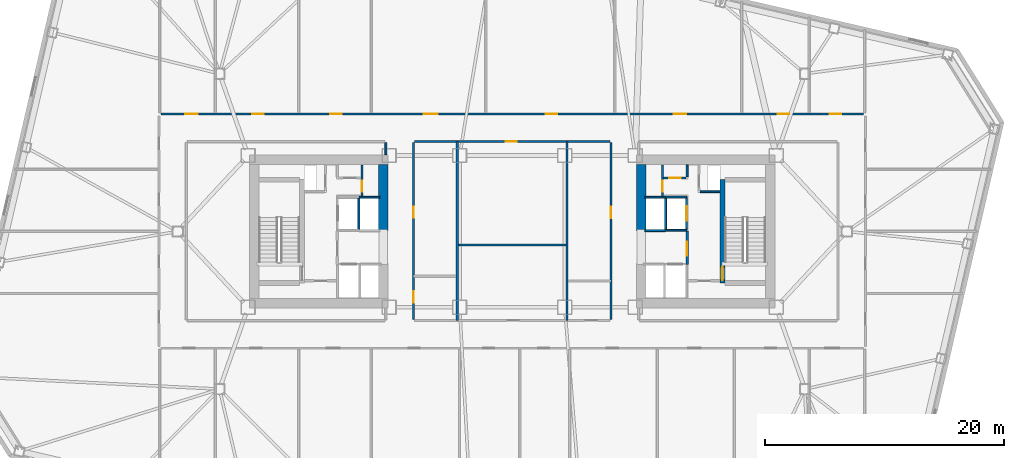
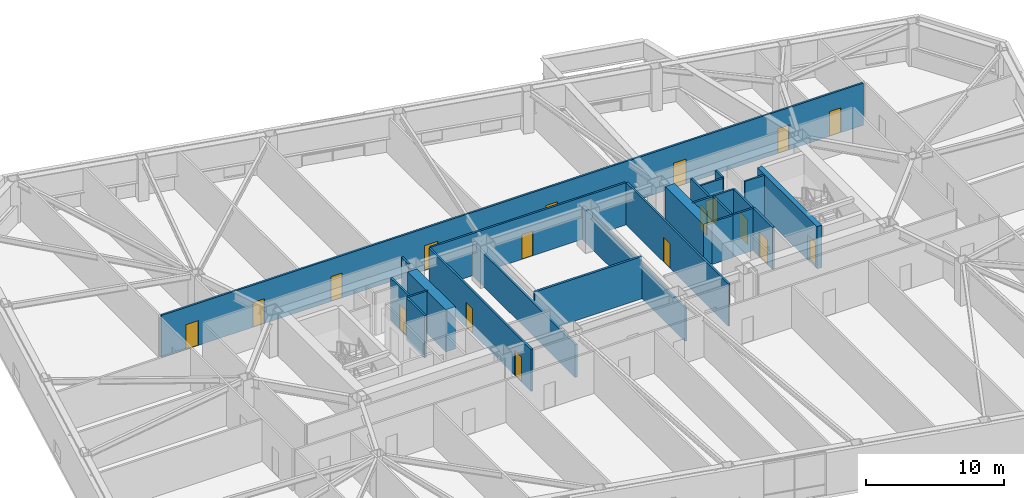
# One storey, part 12 of 21: 25 walls, 18 doors, 18 openings.
"""IFC4 building model written with IfcOpenShell, lengths in metres."""

import ifcopenshell
import ifcopenshell.guid

model = None  # the IFC model being written
_history = None  # IfcOwnerHistory: only IFC2X3 demands one
_inside = {}  # id of a spatial element -> (the spatial element, [elements in it])
_under = {}  # id of a project, library or spatial element -> (it, [spatial elements below it])
_declared = {}  # id of a project -> (the project, [libraries it declares])
_typed = {}  # id of a type object -> (the type object, [elements of that type])
_made_of = {}  # id of a material, layer set ... -> (it, [elements and type objects made of it])


def new_model(schema):
    """Start an empty IFC model of exactly this schema.

    Asked for "IFC4X3", IfcOpenShell would pick the latest addendum, in which some entities
    have other attributes; the version numbers below select the first issue.
    IFC2X3 requires an IfcOwnerHistory on every rooted entity: one is made here for all.
    """
    global model, _history
    if schema == "IFC4X3":
        model = ifcopenshell.file(schema_version=(4, 3, 0, 0))
    else:
        model = ifcopenshell.file(schema=schema)
    _inside.clear()
    _under.clear()
    _declared.clear()
    _typed.clear()
    _made_of.clear()
    _history = None
    if model.schema == "IFC2X3":
        org = make("IfcOrganization", Name="unknown")
        user = make(
            "IfcPersonAndOrganization",
            ThePerson=make("IfcPerson", FamilyName="unknown"),
            TheOrganization=org,
        )
        app = make(
            "IfcApplication",
            ApplicationDeveloper=org,
            Version="unknown",
            ApplicationFullName="unknown",
            ApplicationIdentifier="unknown",
        )
        _history = make(
            "IfcOwnerHistory",
            OwningUser=user,
            OwningApplication=app,
            ChangeAction="ADDED",
            CreationDate=0,
        )
    return model


def make(cls, **values):
    """One entity of the class cls with the attributes given. An attribute that is None is left unset."""
    return model.create_entity(
        cls, **{name: value for name, value in values.items() if value is not None}
    )


def rooted(cls, **values):
    """An entity with a GlobalId (a new one), such as an element, a storey or a relation."""
    return make(cls, GlobalId=ifcopenshell.guid.new(), OwnerHistory=_history, **values)


def si_unit(unit_type, name, prefix=None):
    """IfcSIUnit, for example si_unit("LENGTHUNIT", "METRE", prefix="MILLI")."""
    return make("IfcSIUnit", UnitType=unit_type, Prefix=prefix, Name=name)


def assignment(units):
    """IfcUnitAssignment: the units of a project."""
    return None if units is None else make("IfcUnitAssignment", Units=units)


def point(xyz):
    """IfcCartesianPoint."""
    return None if xyz is None else make("IfcCartesianPoint", Coordinates=xyz)


def direction(xyz):
    """IfcDirection."""
    return None if xyz is None else make("IfcDirection", DirectionRatios=xyz)


def frame(location, z_axis=None, x_axis=None):
    """IfcAxis2Placement3D, a coordinate frame: its origin and axes. An axis left out is left unset."""
    return make(
        "IfcAxis2Placement3D",
        Location=point(location),
        Axis=direction(z_axis),
        RefDirection=direction(x_axis),
    )


def frame_2d(location, x_axis=None):
    """IfcAxis2Placement2D, a coordinate frame in the plane: its origin and x axis."""
    return make(
        "IfcAxis2Placement2D", Location=point(location), RefDirection=direction(x_axis)
    )


def origin():
    """The frame at (0, 0, 0) with its axes left unset."""
    return frame((0.0, 0.0, 0.0))


def place(relative_to, where):
    """IfcLocalPlacement: puts the frame where relative to a parent placement (None: the world)."""
    return make(
        "IfcLocalPlacement", PlacementRelTo=relative_to, RelativePlacement=where
    )


def context(
    kind, dimensions, precision=None, world=None, true_north=None, identifier=None
):
    """IfcGeometricRepresentationContext, for example the 3D "Model" context."""
    return make(
        "IfcGeometricRepresentationContext",
        ContextIdentifier=identifier,
        ContextType=kind,
        CoordinateSpaceDimension=dimensions,
        Precision=precision,
        WorldCoordinateSystem=world,
        TrueNorth=true_north,
    )


def subcontext(parent, identifier, kind, view, scale=None):
    """IfcGeometricRepresentationSubContext, for example "Body" below "Model"."""
    return make(
        "IfcGeometricRepresentationSubContext",
        ContextIdentifier=identifier,
        ContextType=kind,
        ParentContext=parent,
        TargetScale=scale,
        TargetView=view,
    )


def project(units=None, contexts=None):
    """IfcProject with its units and contexts."""
    return rooted(
        "IfcProject",
        Name="project",
        RepresentationContexts=contexts,
        UnitsInContext=assignment(units),
    )


def spatial(cls, under=None, at=None, **own):
    """A site, building, storey or space (cls), placed at a placement, below another one or the project."""
    s = rooted(cls, ObjectPlacement=at, **own)
    if under is not None:
        _under.setdefault(under.id(), (under, []))[1].append(s)
    return s


def profile(cls, at=None, kind="AREA", **sizes):
    """A parametric profile (cls). Its sizes go by their IFC names, for example OverallWidth=200.0."""
    return make(cls, ProfileType=kind, Position=at, **sizes)


def rectangle(**sizes):
    """IfcRectangleProfileDef."""
    return profile("IfcRectangleProfileDef", **sizes)


def extrude(swept, where, along, depth):
    """IfcExtrudedAreaSolid: the profile swept, set in the frame where, extruded along a direction by depth."""
    return make(
        "IfcExtrudedAreaSolid",
        SweptArea=swept,
        Position=where,
        ExtrudedDirection=direction(along),
        Depth=depth,
    )


def shape(context_of_items, identifier, shape_type, items):
    """IfcShapeRepresentation: the items that make up one representation, for example the "Body"."""
    return make(
        "IfcShapeRepresentation",
        ContextOfItems=context_of_items,
        RepresentationIdentifier=identifier,
        RepresentationType=shape_type,
        Items=items,
    )


def material(Name=None, Category=None):
    """IfcMaterial."""
    return make("IfcMaterial", Name=Name, Category=Category)


def layer(
    of_material, thickness, ventilated=None, Name=None, Category=None, Priority=None
):
    """IfcMaterialLayer: one layer of a wall or slab, of a material (None: an air gap)."""
    return make(
        "IfcMaterialLayer",
        Material=of_material,
        LayerThickness=thickness,
        IsVentilated=ventilated,
        Name=Name,
        Category=Category,
        Priority=Priority,
    )


def layer_set(layers, Name=None):
    """IfcMaterialLayerSet."""
    return make("IfcMaterialLayerSet", MaterialLayers=layers, LayerSetName=Name)


def made_of(thing, what):
    """Note that an element or type object is made of a material, layer set ...; save() writes the relation."""
    if what is not None:
        _made_of.setdefault(what.id(), (what, []))[1].append(thing)
    return thing


def type_object(cls, material=None, **own):
    """A type object (cls), such as IfcWallType, which elements share."""
    return made_of(rooted(cls, **own), material)


def element(
    cls,
    number,
    at=None,
    inside=None,
    cuts=None,
    type_object=None,
    material=None,
    context=None,
    identifier="Body",
    shape_type=None,
    held_by="IfcProductDefinitionShape",
    body=None,
    shapes=None,
    **own,
):
    """One element of the class cls, such as IfcWall. Its Tag is "e" and its number.

    at: its placement. inside: the storey or other place that contains it. cuts: it is an
    opening in that element (IfcRelVoidsElement). A single representation is given by context,
    identifier, shape_type and body (its items); several are given by shapes. held_by: the class
    of the entity that holds the representations. save() writes the other relations.
    """
    e = rooted(cls, Tag="e%d" % number, ObjectPlacement=at, **own)
    if body is not None:
        shapes = [shape(context, identifier, shape_type, body)]
    if shapes is not None:
        e.Representation = make(held_by, Representations=shapes)
    if inside is not None:
        _inside.setdefault(inside.id(), (inside, []))[1].append(e)
    if cuts is not None:
        rooted(
            "IfcRelVoidsElement", RelatingBuildingElement=cuts, RelatedOpeningElement=e
        )
    if type_object is not None:
        _typed.setdefault(type_object.id(), (type_object, []))[1].append(e)
    return made_of(e, material)


def fill(opening, filler):
    """IfcRelFillsElement: the door or window that sits in an opening."""
    return rooted(
        "IfcRelFillsElement",
        RelatingOpeningElement=opening,
        RelatedBuildingElement=filler,
    )


def aggregate(whole, parts):
    """IfcRelAggregates: a whole, such as a stair, and the parts it consists of."""
    return rooted("IfcRelAggregates", RelatingObject=whole, RelatedObjects=parts)


def save(model, path):
    """Write the relations noted so far, then the file.

    IfcRelAggregates (storeys below a building ...), IfcRelContainedInSpatialStructure (elements
    in a storey), IfcRelDefinesByType, IfcRelAssociatesMaterial and IfcRelDeclares: one each for
    every whole, place, type object, material and project.
    """
    for whole, parts in _under.values():
        aggregate(whole, parts)
    for where, things in _inside.values():
        rooted(
            "IfcRelContainedInSpatialStructure",
            RelatedElements=things,
            RelatingStructure=where,
        )
    for kind, things in _typed.values():
        rooted("IfcRelDefinesByType", RelatedObjects=things, RelatingType=kind)
    for what, things in _made_of.values():
        rooted("IfcRelAssociatesMaterial", RelatedObjects=things, RelatingMaterial=what)
    for by, libraries in _declared.values():
        rooted("IfcRelDeclares", RelatingContext=by, RelatedDefinitions=libraries)
    model.write(path)


model = new_model("IFC4")

# Units and contexts
model_context = context("Model", 3, precision=1e-05, world=origin(), true_north=direction((0.0, 1.0)))
body_context = subcontext(model_context, "Body", "Model", "MODEL_VIEW")
ifc_project = project(units=[si_unit("LENGTHUNIT", "METRE"), si_unit("AREAUNIT", "SQUARE_METRE"), si_unit("VOLUMEUNIT", "CUBIC_METRE"), si_unit("PLANEANGLEUNIT", "RADIAN"), si_unit("MASSUNIT", "GRAM", prefix="KILO")], contexts=[model_context])

# Site, building, storey
site_placement = place(None, origin())
site = spatial("IfcSite", under=ifc_project, at=site_placement, CompositionType="ELEMENT")
building_placement = place(site_placement, origin())
building = spatial("IfcBuilding", under=site, at=building_placement, Name="Tavrogorsk Clinical Tower", CompositionType="ELEMENT")
storey_placement = place(building_placement, frame((0.0, 0.0, 59.39990234375)))
storey = spatial("IfcBuildingStorey", under=building, at=storey_placement, Name="L12", CompositionType="ELEMENT", Elevation=59.39990234375)

# Wall, opening, door
ifc_material_1 = material(Name="Concrete B60", Category="concrete")
ifc_layer_1 = layer(ifc_material_1, 0.199951171875)
ifc_layer_set_1 = layer_set([ifc_layer_1], Name="Concrete B60")
wall_type_1 = type_object("IfcWallType", Name="CoreFireWall_200", PredefinedType="SOLIDWALL", material=ifc_layer_set_1)
wall_1_placement = place(storey_placement, frame((14.639892578125, -2.780029296875, 0.0), z_axis=(0.0, 0.0, 1.0), x_axis=(0.0, 1.0, 0.0)))
wall_1 = element("IfcWall", 1, at=wall_1_placement, inside=storey, type_object=wall_type_1, Name="L12 Core East Firefighting Lobby Fire Wall", PredefinedType="SOLIDWALL", context=body_context, shape_type="SweptSolid", body=[
    extrude(rectangle(XDim=2.820068359375, YDim=0.199951171875, at=frame_2d((1.41015625, 0.0))), origin(), (0.0, 0.0, 1.0), 3.739990234375),
])
opening_1_placement = place(wall_1_placement, frame((0.72998046875, 0.0, 0.0)))
opening_1 = element("IfcOpeningElement", 2, at=opening_1_placement, cuts=wall_1, Name="Opening FD-01", PredefinedType="OPENING", context=body_context, shape_type="SweptSolid", body=[
    extrude(rectangle(XDim=1.199951171875, YDim=2.199951171875, at=frame_2d((0.60009765625, 1.10009765625))), frame((0.0, 0.10986328125, 0.0), z_axis=(0.0, -1.0, 0.0), x_axis=(1.0, 0.0, 0.0)), (0.0, 0.0, 1.0), 0.219970703125),
])
ifc_material_2 = material(Name="Galvanised steel fire-rated door assembly", Category="steel")
door_type_1 = type_object("IfcDoorType", Name="FireDoor_FD01_1200", OperationType="NOTDEFINED", PredefinedType="DOOR", material=ifc_material_2)
door_1_placement = place(opening_1_placement, origin())
door_1 = element("IfcDoor", 3, at=door_1_placement, inside=storey, type_object=door_type_1, Name="L12 Core East Firefighting Lobby Entry Door", OperationType="SINGLE_SWING_RIGHT", OverallHeight=2.199951171875, OverallWidth=1.199951171875, PredefinedType="DOOR", context=body_context, shape_type="SweptSolid", body=[
    extrude(rectangle(XDim=1.199951171875, YDim=2.199951171875, at=frame_2d((0.60009765625, 1.10009765625))), frame((0.0, 0.02490234375, 0.0), z_axis=(0.0, -1.0, 0.0), x_axis=(1.0, 0.0, 0.0)), (0.0, 0.0, 1.0), 0.050048828125),
])
fill(opening_1, door_1)

ifc_material_3 = material(Name="Lightweight concrete blockwork B15", Category="masonry")
ifc_layer_2 = layer(ifc_material_3, 0.159912109375)
ifc_layer_set_2 = layer_set([ifc_layer_2], Name="Lightweight concrete blockwork B15")
wall_type_2 = type_object("IfcWallType", Name="PartitionWall_160", PredefinedType="PARTITIONING", material=ifc_layer_set_2)
wall_2_placement = place(storey_placement, frame((-12.580078125, 2.9599609375, 0.0), z_axis=(0.0, 0.0, 1.0), x_axis=(0.0, 1.0, 0.0)))
wall_2 = element("IfcWall", 4, at=wall_2_placement, inside=storey, type_object=wall_type_2, Name="L12 Core West Linen Closet Wall", PredefinedType="PARTITIONING", context=body_context, shape_type="SweptSolid", body=[
    extrude(rectangle(XDim=2.60009765625, YDim=0.159912109375, at=frame_2d((1.300048828125, 0.0))), origin(), (0.0, 0.0, 1.0), 3.739990234375),
])
opening_2_placement = place(wall_2_placement, frame((0.35009765625, 0.0, 0.0)))
opening_2 = element("IfcOpeningElement", 5, at=opening_2_placement, cuts=wall_2, Name="Opening ID-02", PredefinedType="OPENING", context=body_context, shape_type="SweptSolid", body=[
    extrude(rectangle(XDim=0.949951171875, YDim=2.199951171875, at=frame_2d((0.47509765625, 1.10009765625))), frame((0.0, 0.08984375, 0.0), z_axis=(0.0, -1.0, 0.0), x_axis=(1.0, 0.0, 0.0)), (0.0, 0.0, 1.0), 0.179931640625),
])
ifc_material_4 = material(Name="Laminated timber leaf on aluminium frame", Category="wood")
door_type_2 = type_object("IfcDoorType", Name="InteriorDoor_ID02_950", OperationType="NOTDEFINED", PredefinedType="DOOR", material=ifc_material_4)
door_2_placement = place(opening_2_placement, origin())
door_2 = element("IfcDoor", 6, at=door_2_placement, inside=storey, type_object=door_type_2, Name="L12 Core West Linen Closet Door", OperationType="SINGLE_SWING_LEFT", OverallHeight=2.199951171875, OverallWidth=0.949951171875, PredefinedType="DOOR", context=body_context, shape_type="SweptSolid", body=[
    extrude(rectangle(XDim=0.949951171875, YDim=2.199951171875, at=frame_2d((0.47509765625, 1.10009765625))), frame((0.0, 0.02490234375, 0.0), z_axis=(0.0, -1.0, 0.0), x_axis=(1.0, 0.0, 0.0)), (0.0, 0.0, 1.0), 0.050048828125),
])
fill(opening_2, door_2)

wall_3_placement = place(storey_placement, frame((12.580078125, 2.9599609375, 0.0), z_axis=(0.0, 0.0, 1.0), x_axis=(0.0, 1.0, 0.0)))
wall_3 = element("IfcWall", 7, at=wall_3_placement, inside=storey, type_object=wall_type_2, Name="L12 Core East Linen Closet Wall", PredefinedType="PARTITIONING", context=body_context, shape_type="SweptSolid", body=[
    extrude(rectangle(XDim=2.60009765625, YDim=0.159912109375, at=frame_2d((1.300048828125, 0.0))), origin(), (0.0, 0.0, 1.0), 3.739990234375),
])
opening_3_placement = place(wall_3_placement, frame((0.35009765625, 0.0, 0.0)))
opening_3 = element("IfcOpeningElement", 8, at=opening_3_placement, cuts=wall_3, Name="Opening ID-02", PredefinedType="OPENING", context=body_context, shape_type="SweptSolid", body=[
    extrude(rectangle(XDim=0.949951171875, YDim=2.199951171875, at=frame_2d((0.47509765625, 1.10009765625))), frame((0.0, 0.08984375, 0.0), z_axis=(0.0, -1.0, 0.0), x_axis=(1.0, 0.0, 0.0)), (0.0, 0.0, 1.0), 0.179931640625),
])
door_3_placement = place(opening_3_placement, origin())
door_3 = element("IfcDoor", 9, at=door_3_placement, inside=storey, type_object=door_type_2, Name="L12 Core East Linen Closet Door", OperationType="SINGLE_SWING_RIGHT", OverallHeight=2.199951171875, OverallWidth=0.949951171875, PredefinedType="DOOR", context=body_context, shape_type="SweptSolid", body=[
    extrude(rectangle(XDim=0.949951171875, YDim=2.199951171875, at=frame_2d((0.47509765625, 1.10009765625))), frame((0.0, 0.02490234375, 0.0), z_axis=(0.0, -1.0, 0.0), x_axis=(1.0, 0.0, 0.0)), (0.0, 0.0, 1.0), 0.050048828125),
])
fill(opening_3, door_3)

wall_4_placement = place(storey_placement, frame((12.6650390625, 4.47998046875, 0.0), z_axis=(0.0, 0.0, 1.0), x_axis=(1.0, 0.0, 0.0)))
wall_4 = element("IfcWall", 10, at=wall_4_placement, inside=storey, type_object=wall_type_2, Name="L12 Core East Housekeeping South Wall", PredefinedType="PARTITIONING", context=body_context, shape_type="SweptSolid", body=[
    extrude(rectangle(XDim=1.889892578125, YDim=0.159912109375, at=frame_2d((0.94482421875, 0.0))), origin(), (0.0, 0.0, 1.0), 3.739990234375),
])
opening_4_placement = place(wall_4_placement, frame((0.5, 0.0, 0.0)))
opening_4 = element("IfcOpeningElement", 11, at=opening_4_placement, cuts=wall_4, Name="Opening ID-02", PredefinedType="OPENING", context=body_context, shape_type="SweptSolid", body=[
    extrude(rectangle(XDim=0.949951171875, YDim=2.199951171875, at=frame_2d((0.47509765625, 1.10009765625))), frame((0.0, 0.08984375, 0.0), z_axis=(0.0, -1.0, 0.0), x_axis=(1.0, 0.0, 0.0)), (0.0, 0.0, 1.0), 0.179931640625),
])
door_4_placement = place(opening_4_placement, origin())
door_4 = element("IfcDoor", 12, at=door_4_placement, inside=storey, type_object=door_type_2, Name="L12 Core East Housekeeping Closet Door", OperationType="SINGLE_SWING_LEFT", OverallHeight=2.199951171875, OverallWidth=0.949951171875, PredefinedType="DOOR", context=body_context, shape_type="SweptSolid", body=[
    extrude(rectangle(XDim=0.949951171875, YDim=2.199951171875, at=frame_2d((0.47509765625, 1.10009765625))), frame((0.0, 0.02490234375, 0.0), z_axis=(0.0, -1.0, 0.0), x_axis=(1.0, 0.0, 0.0)), (0.0, 0.0, 1.0), 0.050048828125),
])
fill(opening_4, door_4)

# Wall
wall_5_placement = place(storey_placement, frame((14.639892578125, 4.56494140625, 0.0), z_axis=(0.0, 0.0, 1.0), x_axis=(0.0, 1.0, 0.0)))
element("IfcWall", 13, at=wall_5_placement, inside=storey, type_object=wall_type_2, Name="L12 Core East Housekeeping East Wall", PredefinedType="PARTITIONING", context=body_context, shape_type="SweptSolid", body=[
    extrude(rectangle(XDim=0.9951171875, YDim=0.159912109375, at=frame_2d((0.49755859375, 0.0))), origin(), (0.0, 0.0, 1.0), 3.739990234375),
])

# Wall, openings, doors
wall_6_placement = place(storey_placement, frame((-29.4150390625, 9.830078125, 0.0), z_axis=(0.0, 0.0, 1.0), x_axis=(1.0, 0.0, 0.0)))
wall_6 = element("IfcWall", 14, at=wall_6_placement, inside=storey, type_object=wall_type_2, Name="L12 Corridor Partition 02", PredefinedType="PARTITIONING", context=body_context, shape_type="SweptSolid", body=[
    extrude(rectangle(XDim=58.830078125, YDim=0.159912109375, at=frame_2d((29.4150390625, 0.0))), origin(), (0.0, 0.0, 1.0), 3.739990234375),
])
opening_5_placement = place(wall_6_placement, frame((2.044189453125, 0.0, 0.0)))
opening_5 = element("IfcOpeningElement", 15, at=opening_5_placement, cuts=wall_6, Name="Opening ID-04", PredefinedType="OPENING", context=body_context, shape_type="SweptSolid", body=[
    extrude(rectangle(XDim=1.050048828125, YDim=2.199951171875, at=frame_2d((0.52490234375, 1.10009765625))), frame((0.0, 0.08984375, 0.0), z_axis=(0.0, -1.0, 0.0), x_axis=(1.0, 0.0, 0.0)), (0.0, 0.0, 1.0), 0.179931640625),
])
opening_6_placement = place(wall_6_placement, frame((7.66259765625, 0.0, 0.0)))
opening_6 = element("IfcOpeningElement", 16, at=opening_6_placement, cuts=wall_6, Name="Opening ID-02", PredefinedType="OPENING", context=body_context, shape_type="SweptSolid", body=[
    extrude(rectangle(XDim=0.949951171875, YDim=2.199951171875, at=frame_2d((0.47509765625, 1.10009765625))), frame((0.0, 0.08984375, 0.0), z_axis=(0.0, -1.0, 0.0), x_axis=(1.0, 0.0, 0.0)), (0.0, 0.0, 1.0), 0.179931640625),
])
opening_7_placement = place(wall_6_placement, frame((14.1875, 0.0, 0.0)))
opening_7 = element("IfcOpeningElement", 17, at=opening_7_placement, cuts=wall_6, Name="Opening ID-02", PredefinedType="OPENING", context=body_context, shape_type="SweptSolid", body=[
    extrude(rectangle(XDim=0.949951171875, YDim=2.199951171875, at=frame_2d((0.47509765625, 1.10009765625))), frame((0.0, 0.08984375, 0.0), z_axis=(0.0, -1.0, 0.0), x_axis=(1.0, 0.0, 0.0)), (0.0, 0.0, 1.0), 0.179931640625),
])
opening_8_placement = place(wall_6_placement, frame((22.02490234375, 0.0, 0.0)))
opening_8 = element("IfcOpeningElement", 18, at=opening_8_placement, cuts=wall_6, Name="Opening ID-06", PredefinedType="OPENING", context=body_context, shape_type="SweptSolid", body=[
    extrude(rectangle(XDim=1.14990234375, YDim=2.199951171875, at=frame_2d((0.574951171875, 1.10009765625))), frame((0.0, 0.08984375, 0.0), z_axis=(0.0, -1.0, 0.0), x_axis=(1.0, 0.0, 0.0)), (0.0, 0.0, 1.0), 0.179931640625),
])
opening_9_placement = place(wall_6_placement, frame((32.22509765625, 0.0, 0.0)))
opening_9 = element("IfcOpeningElement", 19, at=opening_9_placement, cuts=wall_6, Name="Opening ID-02", PredefinedType="OPENING", context=body_context, shape_type="SweptSolid", body=[
    extrude(rectangle(XDim=0.949951171875, YDim=2.199951171875, at=frame_2d((0.47509765625, 1.10009765625))), frame((0.0, 0.08984375, 0.0), z_axis=(0.0, -1.0, 0.0), x_axis=(1.0, 0.0, 0.0)), (0.0, 0.0, 1.0), 0.179931640625),
])
opening_10_placement = place(wall_6_placement, frame((42.925048828125, 0.0, 0.0)))
opening_10 = element("IfcOpeningElement", 20, at=opening_10_placement, cuts=wall_6, Name="Opening ID-04", PredefinedType="OPENING", context=body_context, shape_type="SweptSolid", body=[
    extrude(rectangle(XDim=1.050048828125, YDim=2.199951171875, at=frame_2d((0.52490234375, 1.10009765625))), frame((0.0, 0.08984375, 0.0), z_axis=(0.0, -1.0, 0.0), x_axis=(1.0, 0.0, 0.0)), (0.0, 0.0, 1.0), 0.179931640625),
])
opening_11_placement = place(wall_6_placement, frame((51.64990234375, 0.0, 0.0)))
opening_11 = element("IfcOpeningElement", 21, at=opening_11_placement, cuts=wall_6, Name="Opening ID-02", PredefinedType="OPENING", context=body_context, shape_type="SweptSolid", body=[
    extrude(rectangle(XDim=0.949951171875, YDim=2.199951171875, at=frame_2d((0.47509765625, 1.10009765625))), frame((0.0, 0.08984375, 0.0), z_axis=(0.0, -1.0, 0.0), x_axis=(1.0, 0.0, 0.0)), (0.0, 0.0, 1.0), 0.179931640625),
])
opening_12_placement = place(wall_6_placement, frame((56.005859375, 0.0, 0.0)))
opening_12 = element("IfcOpeningElement", 22, at=opening_12_placement, cuts=wall_6, Name="Opening ID-02", PredefinedType="OPENING", context=body_context, shape_type="SweptSolid", body=[
    extrude(rectangle(XDim=0.949951171875, YDim=2.199951171875, at=frame_2d((0.47509765625, 1.10009765625))), frame((0.0, 0.08984375, 0.0), z_axis=(0.0, -1.0, 0.0), x_axis=(1.0, 0.0, 0.0)), (0.0, 0.0, 1.0), 0.179931640625),
])
ifc_material_5 = material(Name="Antibacterial HPL consultation door on aluminium frame", Category="aluminium")
door_type_3 = type_object("IfcDoorType", Name="ConsultDoor_ID04_1050", OperationType="NOTDEFINED", PredefinedType="DOOR", material=ifc_material_5)
door_5_placement = place(opening_5_placement, origin())
door_5 = element("IfcDoor", 23, at=door_5_placement, inside=storey, type_object=door_type_3, Name="L12 North Oncology Seminar & Tumour Board Room 01 Door", OperationType="SINGLE_SWING_LEFT", OverallHeight=2.199951171875, OverallWidth=1.050048828125, PredefinedType="DOOR", context=body_context, shape_type="SweptSolid", body=[
    extrude(rectangle(XDim=1.050048828125, YDim=2.199951171875, at=frame_2d((0.52490234375, 1.10009765625))), frame((0.0, 0.02490234375, 0.0), z_axis=(0.0, -1.0, 0.0), x_axis=(1.0, 0.0, 0.0)), (0.0, 0.0, 1.0), 0.050048828125),
])
fill(opening_5, door_5)
door_6_placement = place(opening_10_placement, origin())
door_6 = element("IfcDoor", 24, at=door_6_placement, inside=storey, type_object=door_type_3, Name="L12 North Oncology Seminar & Tumour Board Room 05 Door", OperationType="SINGLE_SWING_RIGHT", OverallHeight=2.199951171875, OverallWidth=1.050048828125, PredefinedType="DOOR", context=body_context, shape_type="SweptSolid", body=[
    extrude(rectangle(XDim=1.050048828125, YDim=2.199951171875, at=frame_2d((0.52490234375, 1.10009765625))), frame((0.0, 0.02490234375, 0.0), z_axis=(0.0, -1.0, 0.0), x_axis=(1.0, 0.0, 0.0)), (0.0, 0.0, 1.0), 0.050048828125),
])
fill(opening_10, door_6)
door_7_placement = place(opening_6_placement, origin())
door_7 = element("IfcDoor", 25, at=door_7_placement, inside=storey, type_object=door_type_2, Name="L12 North Outpatient Oncology Infusion Lounge 02A Door", OperationType="SINGLE_SWING_RIGHT", OverallHeight=2.199951171875, OverallWidth=0.949951171875, PredefinedType="DOOR", context=body_context, shape_type="SweptSolid", body=[
    extrude(rectangle(XDim=0.949951171875, YDim=2.199951171875, at=frame_2d((0.47509765625, 1.10009765625))), frame((0.0, 0.02490234375, 0.0), z_axis=(0.0, -1.0, 0.0), x_axis=(1.0, 0.0, 0.0)), (0.0, 0.0, 1.0), 0.050048828125),
])
fill(opening_6, door_7)
door_8_placement = place(opening_7_placement, origin())
door_8 = element("IfcDoor", 26, at=door_8_placement, inside=storey, type_object=door_type_2, Name="L12 North Oncology Seminar & Tumour Board Room 02B Door", OperationType="SINGLE_SWING_LEFT", OverallHeight=2.199951171875, OverallWidth=0.949951171875, PredefinedType="DOOR", context=body_context, shape_type="SweptSolid", body=[
    extrude(rectangle(XDim=0.949951171875, YDim=2.199951171875, at=frame_2d((0.47509765625, 1.10009765625))), frame((0.0, 0.02490234375, 0.0), z_axis=(0.0, -1.0, 0.0), x_axis=(1.0, 0.0, 0.0)), (0.0, 0.0, 1.0), 0.050048828125),
])
fill(opening_7, door_8)
door_9_placement = place(opening_9_placement, origin())
door_9 = element("IfcDoor", 27, at=door_9_placement, inside=storey, type_object=door_type_2, Name="L12 North Chemotherapy Pharmacy Cleanroom 04 Door", OperationType="SINGLE_SWING_LEFT", OverallHeight=2.199951171875, OverallWidth=0.949951171875, PredefinedType="DOOR", context=body_context, shape_type="SweptSolid", body=[
    extrude(rectangle(XDim=0.949951171875, YDim=2.199951171875, at=frame_2d((0.47509765625, 1.10009765625))), frame((0.0, 0.02490234375, 0.0), z_axis=(0.0, -1.0, 0.0), x_axis=(1.0, 0.0, 0.0)), (0.0, 0.0, 1.0), 0.050048828125),
])
fill(opening_9, door_9)
door_10_placement = place(opening_11_placement, origin())
door_10 = element("IfcDoor", 28, at=door_10_placement, inside=storey, type_object=door_type_2, Name="L12 North Outpatient Oncology Infusion Lounge 06 Door", OperationType="SINGLE_SWING_LEFT", OverallHeight=2.199951171875, OverallWidth=0.949951171875, PredefinedType="DOOR", context=body_context, shape_type="SweptSolid", body=[
    extrude(rectangle(XDim=0.949951171875, YDim=2.199951171875, at=frame_2d((0.47509765625, 1.10009765625))), frame((0.0, 0.02490234375, 0.0), z_axis=(0.0, -1.0, 0.0), x_axis=(1.0, 0.0, 0.0)), (0.0, 0.0, 1.0), 0.050048828125),
])
fill(opening_11, door_10)
door_11_placement = place(opening_12_placement, origin())
door_11 = element("IfcDoor", 29, at=door_11_placement, inside=storey, type_object=door_type_2, Name="L12 North Oncology Specialist Consultation Office 07 Door", OperationType="SINGLE_SWING_RIGHT", OverallHeight=2.199951171875, OverallWidth=0.949951171875, PredefinedType="DOOR", context=body_context, shape_type="SweptSolid", body=[
    extrude(rectangle(XDim=0.949951171875, YDim=2.199951171875, at=frame_2d((0.47509765625, 1.10009765625))), frame((0.0, 0.02490234375, 0.0), z_axis=(0.0, -1.0, 0.0), x_axis=(1.0, 0.0, 0.0)), (0.0, 0.0, 1.0), 0.050048828125),
])
fill(opening_12, door_11)
ifc_material_6 = material(Name="Antibacterial HPL procedure door on aluminium frame", Category="aluminium")
door_type_4 = type_object("IfcDoorType", Name="LabDoor_ID06_1150", OperationType="NOTDEFINED", PredefinedType="DOOR", material=ifc_material_6)
door_12_placement = place(opening_8_placement, origin())
door_12 = element("IfcDoor", 30, at=door_12_placement, inside=storey, type_object=door_type_4, Name="L12 North Oncology Specialist Consultation Office 03 Door", OperationType="SINGLE_SWING_RIGHT", OverallHeight=2.199951171875, OverallWidth=1.14990234375, PredefinedType="DOOR", context=body_context, shape_type="SweptSolid", body=[
    extrude(rectangle(XDim=1.14990234375, YDim=2.199951171875, at=frame_2d((0.574951171875, 1.10009765625))), frame((0.0, 0.02490234375, 0.0), z_axis=(0.0, -1.0, 0.0), x_axis=(1.0, 0.0, 0.0)), (0.0, 0.0, 1.0), 0.050048828125),
])
fill(opening_8, door_12)

# Wall, opening, door
wall_7_placement = place(storey_placement, frame((8.27001953125, -7.385009765625, 0.0), z_axis=(0.0, 0.0, 1.0), x_axis=(0.0, 1.0, 0.0)))
wall_7 = element("IfcWall", 31, at=wall_7_placement, inside=storey, type_object=wall_type_2, Name="L12 Corridor Partition 10", PredefinedType="PARTITIONING", context=body_context, shape_type="SweptSolid", body=[
    extrude(rectangle(XDim=14.820068359375, YDim=0.159912109375, at=frame_2d((7.41015625, 0.0))), origin(), (0.0, 0.0, 1.0), 3.739990234375),
])
opening_13_placement = place(wall_7_placement, frame((8.48583984375, 0.0, 0.0)))
opening_13 = element("IfcOpeningElement", 32, at=opening_13_placement, cuts=wall_7, Name="Opening ID-02", PredefinedType="OPENING", context=body_context, shape_type="SweptSolid", body=[
    extrude(rectangle(XDim=0.949951171875, YDim=2.199951171875, at=frame_2d((0.47509765625, 1.10009765625))), frame((0.0, 0.08984375, 0.0), z_axis=(0.0, -1.0, 0.0), x_axis=(1.0, 0.0, 0.0)), (0.0, 0.0, 1.0), 0.179931640625),
])
door_13_placement = place(opening_13_placement, origin())
door_13 = element("IfcDoor", 33, at=door_13_placement, inside=storey, type_object=door_type_2, Name="L12 Attending Physician Office Door", OperationType="SINGLE_SWING_RIGHT", OverallHeight=2.199951171875, OverallWidth=0.949951171875, PredefinedType="DOOR", context=body_context, shape_type="SweptSolid", body=[
    extrude(rectangle(XDim=0.949951171875, YDim=2.199951171875, at=frame_2d((0.47509765625, 1.10009765625))), frame((0.0, 0.02490234375, 0.0), z_axis=(0.0, -1.0, 0.0), x_axis=(1.0, 0.0, 0.0)), (0.0, 0.0, 1.0), 0.050048828125),
])
fill(opening_13, door_13)

wall_8_placement = place(storey_placement, frame((8.18505859375, 7.52001953125, 0.0), z_axis=(0.0, 0.0, 1.0), x_axis=(-1.0, 0.0, 0.0)))
wall_8 = element("IfcWall", 34, at=wall_8_placement, inside=storey, type_object=wall_type_2, Name="L12 Corridor Partition 11", PredefinedType="PARTITIONING", context=body_context, shape_type="SweptSolid", body=[
    extrude(rectangle(XDim=16.3701171875, YDim=0.159912109375, at=frame_2d((8.18505859375, 0.0))), origin(), (0.0, 0.0, 1.0), 3.739990234375),
])
opening_14_placement = place(wall_8_placement, frame((7.794921875, 0.0, 0.0)))
opening_14 = element("IfcOpeningElement", 35, at=opening_14_placement, cuts=wall_8, Name="Opening ID-02", PredefinedType="OPENING", context=body_context, shape_type="SweptSolid", body=[
    extrude(rectangle(XDim=0.949951171875, YDim=2.199951171875, at=frame_2d((0.47509765625, 1.10009765625))), frame((0.0, 0.08984375, 0.0), z_axis=(0.0, -1.0, 0.0), x_axis=(1.0, 0.0, 0.0)), (0.0, 0.0, 1.0), 0.179931640625),
])
door_14_placement = place(opening_14_placement, origin())
door_14 = element("IfcDoor", 36, at=door_14_placement, inside=storey, type_object=door_type_2, Name="L12 Nurses' Station & Triage Hub Door", OperationType="SINGLE_SWING_RIGHT", OverallHeight=2.199951171875, OverallWidth=0.949951171875, PredefinedType="DOOR", context=body_context, shape_type="SweptSolid", body=[
    extrude(rectangle(XDim=0.949951171875, YDim=2.199951171875, at=frame_2d((0.47509765625, 1.10009765625))), frame((0.0, 0.02490234375, 0.0), z_axis=(0.0, -1.0, 0.0), x_axis=(1.0, 0.0, 0.0)), (0.0, 0.0, 1.0), 0.050048828125),
])
fill(opening_14, door_14)

# Wall, openings, doors
wall_9_placement = place(storey_placement, frame((-8.27001953125, 7.43505859375, 0.0), z_axis=(0.0, 0.0, 1.0), x_axis=(0.0, -1.0, 0.0)))
wall_9 = element("IfcWall", 37, at=wall_9_placement, inside=storey, type_object=wall_type_2, Name="L12 Corridor Partition 12", PredefinedType="PARTITIONING", context=body_context, shape_type="SweptSolid", body=[
    extrude(rectangle(XDim=14.820068359375, YDim=0.159912109375, at=frame_2d((7.41015625, 0.0))), origin(), (0.0, 0.0, 1.0), 3.739990234375),
])
opening_15_placement = place(wall_9_placement, frame((12.4609375, 0.0, 0.0)))
opening_15 = element("IfcOpeningElement", 38, at=opening_15_placement, cuts=wall_9, Name="Opening ID-02", PredefinedType="OPENING", context=body_context, shape_type="SweptSolid", body=[
    extrude(rectangle(XDim=0.949951171875, YDim=2.199951171875, at=frame_2d((0.47509765625, 1.10009765625))), frame((0.0, 0.08984375, 0.0), z_axis=(0.0, -1.0, 0.0), x_axis=(1.0, 0.0, 0.0)), (0.0, 0.0, 1.0), 0.179931640625),
])
opening_16_placement = place(wall_9_placement, frame((5.35400390625, 0.0, 0.0)))
opening_16 = element("IfcOpeningElement", 39, at=opening_16_placement, cuts=wall_9, Name="Opening ID-02", PredefinedType="OPENING", context=body_context, shape_type="SweptSolid", body=[
    extrude(rectangle(XDim=0.949951171875, YDim=2.199951171875, at=frame_2d((0.47509765625, 1.10009765625))), frame((0.0, 0.08984375, 0.0), z_axis=(0.0, -1.0, 0.0), x_axis=(1.0, 0.0, 0.0)), (0.0, 0.0, 1.0), 0.179931640625),
])
door_15_placement = place(opening_15_placement, origin())
door_15 = element("IfcDoor", 40, at=door_15_placement, inside=storey, type_object=door_type_2, Name="L12 Accessible Patient Lavatory Door", OperationType="SINGLE_SWING_LEFT", OverallHeight=2.199951171875, OverallWidth=0.949951171875, PredefinedType="DOOR", context=body_context, shape_type="SweptSolid", body=[
    extrude(rectangle(XDim=0.949951171875, YDim=2.199951171875, at=frame_2d((0.47509765625, 1.10009765625))), frame((0.0, 0.02490234375, 0.0), z_axis=(0.0, -1.0, 0.0), x_axis=(1.0, 0.0, 0.0)), (0.0, 0.0, 1.0), 0.050048828125),
])
fill(opening_15, door_15)
door_16_placement = place(opening_16_placement, origin())
door_16 = element("IfcDoor", 41, at=door_16_placement, inside=storey, type_object=door_type_2, Name="L12 Ward Nourishment Pantry Door", OperationType="SINGLE_SWING_RIGHT", OverallHeight=2.199951171875, OverallWidth=0.949951171875, PredefinedType="DOOR", context=body_context, shape_type="SweptSolid", body=[
    extrude(rectangle(XDim=0.949951171875, YDim=2.199951171875, at=frame_2d((0.47509765625, 1.10009765625))), frame((0.0, 0.02490234375, 0.0), z_axis=(0.0, -1.0, 0.0), x_axis=(1.0, 0.0, 0.0)), (0.0, 0.0, 1.0), 0.050048828125),
])
fill(opening_16, door_16)

# Walls
wall_10_placement = place(storey_placement, frame((-10.580078125, 6.419921875, 0.0), z_axis=(0.0, 0.0, 1.0), x_axis=(0.0, 1.0, 0.0)))
element("IfcWall", 42, at=wall_10_placement, inside=storey, type_object=wall_type_2, Name="L12 Corridor Partition 15", PredefinedType="PARTITIONING", context=body_context, shape_type="SweptSolid", body=[
    extrude(rectangle(XDim=1.01513671875, YDim=0.159912109375, at=frame_2d((0.507568359375, 0.0))), origin(), (0.0, 0.0, 1.0), 3.739990234375),
])
ifc_material_7 = material(Name="Lightweight concrete blockwork B20", Category="masonry")
ifc_layer_3 = layer(ifc_material_7, 0.179931640625)
ifc_layer_set_3 = layer_set([ifc_layer_3], Name="Lightweight concrete blockwork B20")
wall_type_3 = type_object("IfcWallType", Name="PartitionWall_180", PredefinedType="PARTITIONING", material=ifc_layer_set_3)
for number, where, z_axis, x_axis, name in (
    (43, (-4.60009765625, -7.465087890625, 0.0), (0.0, 0.0, 1.0), (0.0, 1.0, 0.0), "L12 Central Spine Partition 1"),
    (44, (4.60009765625, -7.465087890625, 0.0), (0.0, 0.0, 1.0), (0.0, 1.0, 0.0), "L12 Central Spine Partition 2"),
):
    element("IfcWall", number, at=place(storey_placement, frame(where, z_axis=z_axis, x_axis=x_axis)), inside=storey, type_object=wall_type_3, Name=name, PredefinedType="PARTITIONING", context=body_context, shape_type="SweptSolid", body=[
        extrude(rectangle(XDim=14.97998046875, YDim=0.179931640625, at=frame_2d((7.489990234375, 0.0))), origin(), (0.0, 0.0, 1.0), 2.93505859375),
    ])
wall_11_placement = place(storey_placement, frame((-4.5048828125, -1.14990234375, 0.0), z_axis=(0.0, 0.0, 1.0), x_axis=(1.0, 0.0, 0.0)))
element("IfcWall", 45, at=wall_11_placement, inside=storey, type_object=wall_type_3, Name="L12 Central Spine Partition 3", PredefinedType="PARTITIONING", context=body_context, shape_type="SweptSolid", body=[
    extrude(rectangle(XDim=9.009765625, YDim=0.179931640625, at=frame_2d((4.5048828125, 0.0))), origin(), (0.0, 0.0, 1.0), 3.739990234375),
])
ifc_material_8 = material(Name="Lightweight concrete blockwork B25", Category="masonry")
ifc_layer_4 = layer(ifc_material_8, 0.159912109375)
ifc_layer_set_4 = layer_set([ifc_layer_4], Name="Lightweight concrete blockwork B25")
wall_type_4 = type_object("IfcWallType", Name="ShaftWall_160", PredefinedType="PARTITIONING", material=ifc_layer_set_4)
wall_12_placement = place(storey_placement, frame((-12.840087890625, 0.179931640625, 0.0), z_axis=(0.0, 0.0, 1.0), x_axis=(0.0, 1.0, 0.0)))
element("IfcWall", 46, at=wall_12_placement, inside=storey, type_object=wall_type_4, Name="L12 FFL-W Shaft Back Wall", PredefinedType="PARTITIONING", context=body_context, shape_type="SweptSolid", body=[
    extrude(rectangle(XDim=2.6201171875, YDim=0.159912109375, at=frame_2d((1.31005859375, 0.0))), origin(), (0.0, 0.0, 1.0), 3.739990234375),
])
wall_13_placement = place(storey_placement, frame((-12.820068359375, 2.860107421875, 0.0), z_axis=(0.0, 0.0, 1.0), x_axis=(1.0, 0.0, 0.0)))
element("IfcWall", 47, at=wall_13_placement, inside=storey, type_object=wall_type_4, Name="L12 LP-H1 High-Zone Lift Rear Wall", PredefinedType="PARTITIONING", context=body_context, shape_type="SweptSolid", body=[
    extrude(rectangle(XDim=1.719970703125, YDim=0.159912109375, at=frame_2d((0.85986328125, 0.0))), origin(), (0.0, 0.0, 1.0), 3.739990234375),
])

# Wall, opening, door
wall_14_placement = place(storey_placement, frame((14.60009765625, 0.1201171875, 0.0), z_axis=(0.0, 0.0, 1.0), x_axis=(0.0, 1.0, 0.0)))
wall_14 = element("IfcWall", 48, at=wall_14_placement, inside=storey, type_object=wall_type_4, Name="L12 FFL-E Firefighting Lift Front Wall", PredefinedType="PARTITIONING", context=body_context, shape_type="SweptSolid", body=[
    extrude(rectangle(XDim=2.739990234375, YDim=0.159912109375, at=frame_2d((1.3701171875, 0.0))), origin(), (0.0, 0.0, 1.0), 3.739990234375),
])
opening_17_placement = place(wall_14_placement, frame((0.77001953125, 0.0, 0.0)))
opening_17 = element("IfcOpeningElement", 49, at=opening_17_placement, cuts=wall_14, Name="Opening LD", PredefinedType="OPENING", context=body_context, shape_type="SweptSolid", body=[
    extrude(rectangle(XDim=1.199951171875, YDim=2.199951171875, at=frame_2d((0.60009765625, 1.10009765625))), frame((0.0, 0.08984375, 0.0), z_axis=(0.0, -1.0, 0.0), x_axis=(1.0, 0.0, 0.0)), (0.0, 0.0, 1.0), 0.179931640625),
])
ifc_material_9 = material(Name="Brushed stainless steel AISI 304 sliding doors", Category="steel")
door_type_5 = type_object("IfcDoorType", Name="LiftLandingDoor_LD_1200", OperationType="SLIDING_TO_LEFT", PredefinedType="DOOR", material=ifc_material_9)
door_17_placement = place(opening_17_placement, origin())
door_17 = element("IfcDoor", 50, at=door_17_placement, inside=storey, type_object=door_type_5, Name="L12 FFL-E Sliding Lift Landing Door", OperationType="SLIDING_TO_LEFT", OverallHeight=2.199951171875, OverallWidth=1.199951171875, PredefinedType="DOOR", context=body_context, shape_type="SweptSolid", body=[
    extrude(rectangle(XDim=1.199951171875, YDim=2.199951171875, at=frame_2d((0.60009765625, 1.10009765625))), frame((0.0, 0.02490234375, 0.0), z_axis=(0.0, -1.0, 0.0), x_axis=(1.0, 0.0, 0.0)), (0.0, 0.0, 1.0), 0.050048828125),
])
fill(opening_17, door_17)

# Walls
for number, where, z_axis, x_axis, name in (
    (51, (12.840087890625, 0.10009765625, 0.0), (0.0, 0.0, 1.0), (1.0, 0.0, 0.0), "L12 FFL-E Shaft South Wall"),
    (52, (12.840087890625, 2.8798828125, 0.0), (0.0, 0.0, 1.0), (1.0, 0.0, 0.0), "L12 FFL-E Shaft North Wall"),
):
    element("IfcWall", number, at=place(storey_placement, frame(where, z_axis=z_axis, x_axis=x_axis)), inside=storey, type_object=wall_type_4, Name=name, PredefinedType="PARTITIONING", context=body_context, shape_type="SweptSolid", body=[
        extrude(rectangle(XDim=1.760009765625, YDim=0.159912109375, at=frame_2d((0.8798828125, 0.0))), origin(), (0.0, 0.0, 1.0), 3.739990234375),
    ])
wall_15_placement = place(storey_placement, frame((12.840087890625, 0.179931640625, 0.0), z_axis=(0.0, 0.0, 1.0), x_axis=(0.0, 1.0, 0.0)))
element("IfcWall", 53, at=wall_15_placement, inside=storey, type_object=wall_type_4, Name="L12 FFL-E Shaft Back Wall", PredefinedType="PARTITIONING", context=body_context, shape_type="SweptSolid", body=[
    extrude(rectangle(XDim=2.6201171875, YDim=0.159912109375, at=frame_2d((1.31005859375, 0.0))), origin(), (0.0, 0.0, 1.0), 3.739990234375),
])
for number, where, z_axis, x_axis, name in (
    (54, (11.10009765625, 0.06005859375, 0.0), (0.0, 0.0, 1.0), (1.0, 0.0, 0.0), "L12 LP-H2 High-Zone Lift Portal Wall"),
    (55, (11.10009765625, 2.860107421875, 0.0), (0.0, 0.0, 1.0), (1.0, 0.0, 0.0), "L12 LP-H2 High-Zone Lift Rear Wall"),
):
    element("IfcWall", number, at=place(storey_placement, frame(where, z_axis=z_axis, x_axis=x_axis)), inside=storey, type_object=wall_type_4, Name=name, PredefinedType="PARTITIONING", context=body_context, shape_type="SweptSolid", body=[
        extrude(rectangle(XDim=1.719970703125, YDim=0.159912109375, at=frame_2d((0.85986328125, 0.0))), origin(), (0.0, 0.0, 1.0), 3.739990234375),
    ])
wall_16_placement = place(storey_placement, frame((15.72509765625, 3.320068359375, 0.0), z_axis=(0.0, 0.0, 1.0), x_axis=(1.0, 0.0, 0.0)))
element("IfcWall", 56, at=wall_16_placement, inside=storey, type_object=wall_type_4, Name="L12 Core East Riser South Wall", PredefinedType="PARTITIONING", context=body_context, shape_type="SweptSolid", body=[
    extrude(rectangle(XDim=1.65478515625, YDim=0.159912109375, at=frame_2d((0.827392578125, 0.0))), origin(), (0.0, 0.0, 1.0), 3.739990234375),
])

# Wall, opening, door
ifc_material_10 = material(Name="Concrete B80", Category="concrete")
ifc_layer_5 = layer(ifc_material_10, 0.39990234375)
ifc_layer_set_5 = layer_set([ifc_layer_5], Name="Concrete B80")
wall_type_5 = type_object("IfcWallType", Name="ShearWall_400", PredefinedType="SHEAR", material=ifc_layer_set_5)
wall_17_placement = place(storey_placement, frame((17.60009765625, -4.324951171875, 0.0), z_axis=(0.0, 0.0, 1.0), x_axis=(0.0, 1.0, 0.0)))
wall_17 = element("IfcWall", 57, at=wall_17_placement, inside=storey, type_object=wall_type_5, Name="L12 Core East Stair Shaft Inner Shear Wall", PredefinedType="SHEAR", context=body_context, shape_type="SweptSolid", body=[
    extrude(rectangle(XDim=8.64990234375, YDim=0.39990234375, at=frame_2d((4.324951171875, 0.0))), origin(), (0.0, 0.0, 1.0), 3.739990234375),
])
opening_18_placement = place(wall_17_placement, frame((0.25, 0.0, 0.0)))
opening_18 = element("IfcOpeningElement", 58, at=opening_18_placement, cuts=wall_17, Name="Opening SD-01", PredefinedType="OPENING", context=body_context, shape_type="SweptSolid", body=[
    extrude(rectangle(XDim=1.10009765625, YDim=2.199951171875, at=frame_2d((0.550048828125, 1.10009765625))), frame((0.0, 0.2099609375, 0.0), z_axis=(0.0, -1.0, 0.0), x_axis=(1.0, 0.0, 0.0)), (0.0, 0.0, 1.0), 0.419921875),
])
ifc_material_11 = material(Name="Galvanised steel smoke-tight fire door assembly", Category="steel")
door_type_6 = type_object("IfcDoorType", Name="StairFireDoor_SD01_1100", OperationType="NOTDEFINED", PredefinedType="DOOR", material=ifc_material_11)
door_18_placement = place(opening_18_placement, origin())
door_18 = element("IfcDoor", 59, at=door_18_placement, inside=storey, type_object=door_type_6, Name="L12 ST-E Exit Stair Door", OperationType="SINGLE_SWING_RIGHT", OverallHeight=2.199951171875, OverallWidth=1.10009765625, PredefinedType="DOOR", context=body_context, shape_type="SweptSolid", body=[
    extrude(rectangle(XDim=1.10009765625, YDim=2.199951171875, at=frame_2d((0.550048828125, 1.10009765625))), frame((0.0, 0.02490234375, 0.0), z_axis=(0.0, -1.0, 0.0), x_axis=(1.0, 0.0, 0.0)), (0.0, 0.0, 1.0), 0.050048828125),
])
fill(opening_18, door_18)

# Walls
ifc_material_12 = material(Name="Concrete B80", Category="concrete")
ifc_layer_6 = layer(ifc_material_12, 0.800048828125)
ifc_layer_set_6 = layer_set([ifc_layer_6], Name="Concrete B80")
wall_type_6 = type_object("IfcWallType", Name="ShearWall_800", PredefinedType="SHEAR", material=ifc_layer_set_6)
for number, where, z_axis, x_axis, name in (
    (60, (-10.800048828125, 0.050048828125, 0.0), (0.0, 0.0, 1.0), (0.0, 1.0, 0.0), "L12 Core West Inner North Pier"),
    (61, (10.800048828125, 0.050048828125, 0.0), (0.0, 0.0, 1.0), (0.0, 1.0, 0.0), "L12 Core East Inner North Pier"),
):
    element("IfcWall", number, at=place(storey_placement, frame(where, z_axis=z_axis, x_axis=x_axis)), inside=storey, type_object=wall_type_6, Name=name, PredefinedType="SHEAR", context=body_context, shape_type="SweptSolid", body=[
        extrude(rectangle(XDim=5.550048828125, YDim=0.800048828125, at=frame_2d((2.77490234375, 0.0))), origin(), (0.0, 0.0, 1.0), 3.739990234375),
    ])

save(model, "model.ifc")
